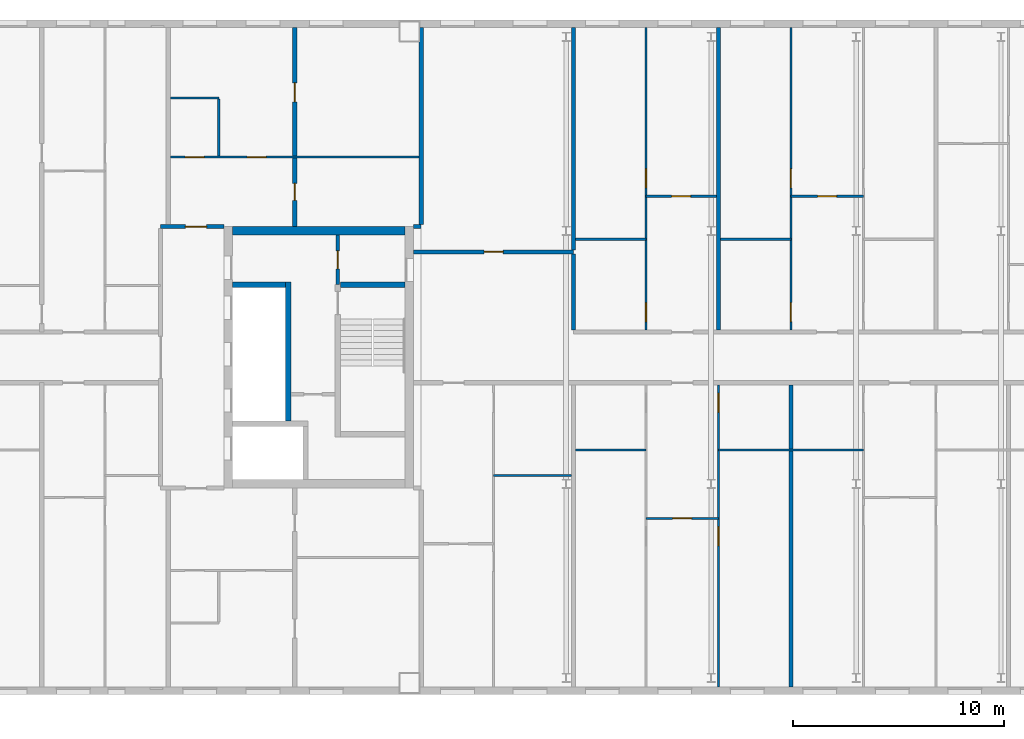
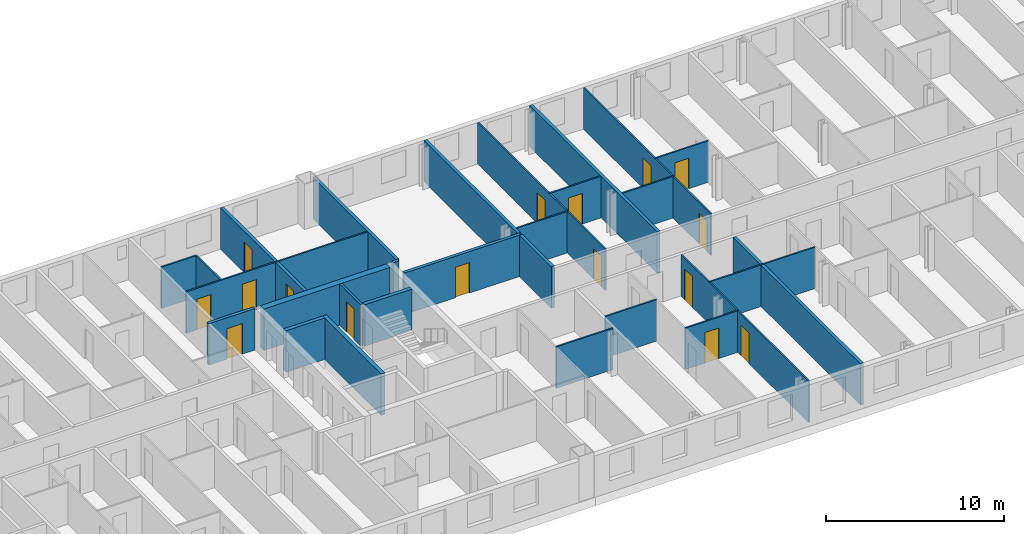
# One storey, part 9 of 19: 28 walls, 16 doors, 16 openings.
"""IFC4 building model written with IfcOpenShell, lengths in metres."""

from ifc_helpers import new_model, si_unit, direction, frame, frame_2d, origin, place, context, subcontext, project, spatial, rectangle, extrude, material, layer, layer_set, type_object, element, fill, save


model = new_model("IFC4")

# Units and contexts
model_context = context("Model", 3, precision=1e-05, world=origin(), true_north=direction((0.0, 1.0)))
body_context = subcontext(model_context, "Body", "Model", "MODEL_VIEW")
ifc_project = project(units=[si_unit("LENGTHUNIT", "METRE"), si_unit("AREAUNIT", "SQUARE_METRE"), si_unit("VOLUMEUNIT", "CUBIC_METRE"), si_unit("PLANEANGLEUNIT", "RADIAN"), si_unit("MASSUNIT", "GRAM", prefix="KILO")], contexts=[model_context])

# Site, building, storey
site_placement = place(None, origin())
site = spatial("IfcSite", under=ifc_project, at=site_placement, CompositionType="ELEMENT")
building_placement = place(site_placement, origin())
building = spatial("IfcBuilding", under=site, at=building_placement, Name="Tuart Gate Housing", CompositionType="ELEMENT")
storey_placement = place(building_placement, frame((0.0, 0.0, 221.39990234375)))
storey = spatial("IfcBuildingStorey", under=building, at=storey_placement, Name="L62", CompositionType="ELEMENT", Elevation=221.39990234375)

# Wall, opening, door
ifc_material_1 = material(Name="Plasterboard partition")
ifc_layer_1 = layer(ifc_material_1, 0.14990234375)
ifc_layer_set_1 = layer_set([ifc_layer_1], Name="Core partition 150")
wall_type_1 = type_object("IfcWallType", Name="Core partition 150", PredefinedType="PARTITIONING", material=ifc_layer_set_1)
wall_1_placement = place(storey_placement, frame((72.0400390625, 73.449951171875, 0.0), z_axis=(0.0, 0.0, 1.0), x_axis=(0.0, 1.0, 0.0)))
wall_1 = element("IfcWall", 1, at=wall_1_placement, inside=storey, type_object=wall_type_1, Name="Core partition AG.9", PredefinedType="PARTITIONING", context=body_context, shape_type="SweptSolid", body=[
    extrude(rectangle(XDim=2.35009765625, YDim=0.14990234375, at=frame_2d((1.175048828125, 0.0))), origin(), (0.0, 0.0, 1.0), 2.85009765625),
])
opening_1_placement = place(wall_1_placement, frame((0.75, 0.0, 0.0)))
opening_1 = element("IfcOpeningElement", 2, at=opening_1_placement, cuts=wall_1, Name="Opening D2297", PredefinedType="OPENING", context=body_context, shape_type="SweptSolid", body=[
    extrude(rectangle(XDim=0.85009765625, YDim=2.10009765625, at=frame_2d((0.425048828125, 1.050048828125))), frame((0.0, 0.0849609375, 0.0), z_axis=(0.0, -1.0, 0.0), x_axis=(1.0, 0.0, 0.0)), (0.0, 0.0, 1.0), 0.169921875),
])
ifc_material_2 = material(Name="Steel fire door", Category="steel")
door_type_1 = type_object("IfcDoorType", Name="Service door 850 x 2100 RH", OperationType="SINGLE_SWING_RIGHT", PredefinedType="DOOR", material=ifc_material_2)
door_1_placement = place(opening_1_placement, frame((0.85009765625, 0.0, 0.0), z_axis=(0.0, 0.0, 1.0), x_axis=(-1.0, 0.0, 0.0)))
door_1 = element("IfcDoor", 3, at=door_1_placement, inside=storey, type_object=door_type_1, Name="Service room door AG.ST", OperationType="SINGLE_SWING_RIGHT", OverallHeight=2.10009765625, OverallWidth=0.85009765625, PredefinedType="DOOR", context=body_context, shape_type="SweptSolid", body=[
    extrude(rectangle(XDim=0.85009765625, YDim=2.10009765625, at=frame_2d((0.425048828125, 1.050048828125))), frame((0.0, 0.025146484375, 0.0), z_axis=(0.0, -1.0, 0.0), x_axis=(1.0, 0.0, 0.0)), (0.0, 0.0, 1.0), 0.050048828125),
])
fill(opening_1, door_1)

# Walls
ifc_material_3 = material(Name="Concrete C40", Category="concrete")
ifc_layer_2 = layer(ifc_material_3, 0.25)
ifc_layer_set_2 = layer_set([ifc_layer_2], Name="Core wall 250 C40")
wall_type_2 = type_object("IfcWallType", Name="Core wall 250 C40", PredefinedType="SHEAR", material=ifc_layer_set_2)
wall_2_placement = place(storey_placement, frame((67.0400390625, 73.449951171875, 0.0), z_axis=(0.0, 0.0, 1.0), x_axis=(1.0, 0.0, 0.0)))
element("IfcWall", 4, at=wall_2_placement, inside=storey, type_object=wall_type_2, Name="Core wall AG.4", PredefinedType="SHEAR", context=body_context, shape_type="SweptSolid", body=[
    extrude(rectangle(XDim=2.52490234375, YDim=0.25, at=frame_2d((1.262451171875, 0.0))), origin(), (0.0, 0.0, 1.0), 2.85009765625),
])
wall_3_placement = place(storey_placement, frame((72.1650390625, 73.449951171875, 0.0), z_axis=(0.0, 0.0, 1.0), x_axis=(1.0, 0.0, 0.0)))
element("IfcWall", 5, at=wall_3_placement, inside=storey, type_object=wall_type_2, Name="Core wall AG.5", PredefinedType="SHEAR", context=body_context, shape_type="SweptSolid", body=[
    extrude(rectangle(XDim=3.074951171875, YDim=0.25, at=frame_2d((1.53759765625, 0.0))), origin(), (0.0, 0.0, 1.0), 2.85009765625),
])
wall_4_placement = place(storey_placement, frame((69.68994140625, 66.97509765625, 0.0), z_axis=(0.0, 0.0, 1.0), x_axis=(0.0, 1.0, 0.0)))
element("IfcWall", 6, at=wall_4_placement, inside=storey, type_object=wall_type_2, Name="Core wall AG.6", PredefinedType="SHEAR", context=body_context, shape_type="SweptSolid", body=[
    extrude(rectangle(XDim=6.599853515625, YDim=0.25, at=frame_2d((3.2998046875, 0.0))), origin(), (0.0, 0.0, 1.0), 2.85009765625),
])
ifc_material_4 = material(Name="Concrete C40", Category="concrete")
ifc_layer_3 = layer(ifc_material_4, 0.39990234375)
ifc_layer_set_3 = layer_set([ifc_layer_3], Name="Core wall 400 C40")
wall_type_3 = type_object("IfcWallType", Name="Core wall 400 C40", PredefinedType="SHEAR", material=ifc_layer_set_3)
wall_5_placement = place(storey_placement, frame((67.0400390625, 76.0, 0.0), z_axis=(0.0, 0.0, 1.0), x_axis=(1.0, 0.0, 0.0)))
element("IfcWall", 7, at=wall_5_placement, inside=storey, type_object=wall_type_3, Name="Core wall AG north", PredefinedType="SHEAR", context=body_context, shape_type="SweptSolid", body=[
    extrude(rectangle(XDim=8.199951171875, YDim=0.39990234375, at=frame_2d((4.10009765625, 0.0))), origin(), (0.0, 0.0, 1.0), 2.85009765625),
])

# Wall, opening, door
ifc_material_5 = material(Name="Concrete masonry 15 MPa", Category="masonry")
ifc_layer_4 = layer(ifc_material_5, 0.199951171875)
ifc_layer_set_4 = layer_set([ifc_layer_4], Name="Corridor wall masonry 200")
wall_type_4 = type_object("IfcWallType", Name="Corridor wall masonry 200", PredefinedType="PARTITIONING", material=ifc_layer_set_4)
wall_6_placement = place(storey_placement, frame((75.639892578125, 75.0, 0.0), z_axis=(0.0, 0.0, 1.0), x_axis=(1.0, 0.0, 0.0)))
wall_6 = element("IfcWall", 8, at=wall_6_placement, inside=storey, type_object=wall_type_4, Name="Corridor wall masonry 200", PredefinedType="PARTITIONING", context=body_context, shape_type="SweptSolid", body=[
    extrude(rectangle(XDim=7.585205078125, YDim=0.199951171875, at=frame_2d((3.79248046875, 0.0))), origin(), (0.0, 0.0, 1.0), 2.85009765625),
])
opening_2_placement = place(wall_6_placement, frame((3.342529296875, 0.0, 0.0)))
opening_2 = element("IfcOpeningElement", 9, at=opening_2_placement, cuts=wall_6, Name="Opening D2352", PredefinedType="OPENING", context=body_context, shape_type="SweptSolid", body=[
    extrude(rectangle(XDim=0.89990234375, YDim=2.10009765625, at=frame_2d((0.449951171875, 1.050048828125))), frame((0.0, 0.10986328125, 0.0), z_axis=(0.0, -1.0, 0.0), x_axis=(1.0, 0.0, 0.0)), (0.0, 0.0, 1.0), 0.219970703125),
])
ifc_material_6 = material(Name="Timber door leaf in steel frame", Category="steel")
door_type_2 = type_object("IfcDoorType", Name="Internal door 900", OperationType="SINGLE_SWING_LEFT", PredefinedType="DOOR", material=ifc_material_6)
door_2_placement = place(opening_2_placement, origin())
door_2 = element("IfcDoor", 10, at=door_2_placement, inside=storey, type_object=door_type_2, Name="Internal door", OperationType="SINGLE_SWING_LEFT", OverallHeight=2.10009765625, OverallWidth=0.89990234375, PredefinedType="DOOR", context=body_context, shape_type="SweptSolid", body=[
    extrude(rectangle(XDim=0.89990234375, YDim=2.10009765625, at=frame_2d((0.449951171875, 1.050048828125))), frame((0.0, 0.02490234375, 0.0), z_axis=(0.0, -1.0, 0.0), x_axis=(1.0, 0.0, 0.0)), (0.0, 0.0, 1.0), 0.050048828125),
])
fill(opening_2, door_2)

# Wall
wall_7_placement = place(storey_placement, frame((83.22509765625, 71.300048828125, 0.0), z_axis=(0.0, 0.0, 1.0), x_axis=(0.0, 1.0, 0.0)))
element("IfcWall", 11, at=wall_7_placement, inside=storey, type_object=wall_type_4, Name="Corridor wall masonry 200", PredefinedType="PARTITIONING", context=body_context, shape_type="SweptSolid", body=[
    extrude(rectangle(XDim=3.599853515625, YDim=0.199951171875, at=frame_2d((1.7998046875, 0.0))), origin(), (0.0, 0.0, 1.0), 2.85009765625),
])

# Wall, opening, door
ifc_material_7 = material(Name="Concrete masonry 15 MPa", Category="masonry")
ifc_layer_5 = layer(ifc_material_7, 0.199951171875)
ifc_layer_set_5 = layer_set([ifc_layer_5], Name="Enclosure wall masonry 200")
wall_type_5 = type_object("IfcWallType", Name="Enclosure wall masonry 200", PredefinedType="PARTITIONING", material=ifc_layer_set_5)
wall_8_placement = place(storey_placement, frame((63.639892578125, 76.199951171875, 0.0), z_axis=(0.0, 0.0, 1.0), x_axis=(1.0, 0.0, 0.0)))
wall_8 = element("IfcWall", 12, at=wall_8_placement, inside=storey, type_object=wall_type_5, Name="Enclosure wall masonry 200", PredefinedType="PARTITIONING", context=body_context, shape_type="SweptSolid", body=[
    extrude(rectangle(XDim=3.0, YDim=0.199951171875, at=frame_2d((1.5, 0.0))), origin(), (0.0, 0.0, 1.0), 2.85009765625),
])
opening_3_placement = place(wall_8_placement, frame((1.179931640625, 0.0, 0.0)))
opening_3 = element("IfcOpeningElement", 13, at=opening_3_placement, cuts=wall_8, Name="Opening D2296", PredefinedType="OPENING", context=body_context, shape_type="SweptSolid", body=[
    extrude(rectangle(XDim=1.0, YDim=2.10009765625, at=frame_2d((0.5, 1.050048828125))), frame((0.0, 0.10986328125, 0.0), z_axis=(0.0, -1.0, 0.0), x_axis=(1.0, 0.0, 0.0)), (0.0, 0.0, 1.0), 0.219970703125),
])
ifc_material_8 = material(Name="Timber door leaf in steel frame", Category="steel")
door_type_3 = type_object("IfcDoorType", Name="Flat entrance door 1000", OperationType="SINGLE_SWING_LEFT", PredefinedType="DOOR", material=ifc_material_8)
door_3_placement = place(opening_3_placement, origin())
door_3 = element("IfcDoor", 14, at=door_3_placement, inside=storey, type_object=door_type_3, Name="Flat entrance door", OperationType="SINGLE_SWING_LEFT", OverallHeight=2.10009765625, OverallWidth=1.0, PredefinedType="DOOR", context=body_context, shape_type="SweptSolid", body=[
    extrude(rectangle(XDim=1.0, YDim=2.10009765625, at=frame_2d((0.5, 1.050048828125))), frame((0.0, 0.02490234375, 0.0), z_axis=(0.0, -1.0, 0.0), x_axis=(1.0, 0.0, 0.0)), (0.0, 0.0, 1.0), 0.050048828125),
])
fill(opening_3, door_3)

ifc_material_9 = material(Name="Gypsum board on steel studs", Category="steel")
ifc_layer_6 = layer(ifc_material_9, 0.10009765625)
ifc_layer_set_6 = layer_set([ifc_layer_6], Name="Partition 100")
wall_type_6 = type_object("IfcWallType", Name="Partition 100", PredefinedType="PARTITIONING", material=ifc_layer_set_6)
wall_9_placement = place(storey_placement, frame((86.662109375, 62.360107421875, 0.0), z_axis=(0.0, 0.0, 1.0), x_axis=(1.0, 0.0, 0.0)))
wall_9 = element("IfcWall", 15, at=wall_9_placement, inside=storey, type_object=wall_type_6, Name="Partition 100", PredefinedType="PARTITIONING", context=body_context, shape_type="SweptSolid", body=[
    extrude(rectangle(XDim=3.43798828125, YDim=0.10009765625, at=frame_2d((1.718994140625, 0.0))), origin(), (0.0, 0.0, 1.0), 2.85009765625),
])
opening_4_placement = place(wall_9_placement, frame((1.26904296875, 0.0, 0.0)))
opening_4 = element("IfcOpeningElement", 16, at=opening_4_placement, cuts=wall_9, Name="Opening D2367", PredefinedType="OPENING", context=body_context, shape_type="SweptSolid", body=[
    extrude(rectangle(XDim=0.89990234375, YDim=2.10009765625, at=frame_2d((0.449951171875, 1.050048828125))), frame((0.0, 0.06005859375, 0.0), z_axis=(0.0, -1.0, 0.0), x_axis=(1.0, 0.0, 0.0)), (0.0, 0.0, 1.0), 0.1201171875),
])
door_4_placement = place(opening_4_placement, origin())
door_4 = element("IfcDoor", 17, at=door_4_placement, inside=storey, type_object=door_type_2, Name="Internal door", OperationType="SINGLE_SWING_LEFT", OverallHeight=2.10009765625, OverallWidth=0.89990234375, PredefinedType="DOOR", context=body_context, shape_type="SweptSolid", body=[
    extrude(rectangle(XDim=0.89990234375, YDim=2.10009765625, at=frame_2d((0.449951171875, 1.050048828125))), frame((0.0, 0.02490234375, 0.0), z_axis=(0.0, -1.0, 0.0), x_axis=(1.0, 0.0, 0.0)), (0.0, 0.0, 1.0), 0.050048828125),
])
fill(opening_4, door_4)

# Walls
wall_10_placement = place(storey_placement, frame((79.43798828125, 64.39990234375, 0.0), z_axis=(0.0, 0.0, 1.0), x_axis=(1.0, 0.0, 0.0)))
element("IfcWall", 18, at=wall_10_placement, inside=storey, type_object=wall_type_6, Name="Partition 100", PredefinedType="PARTITIONING", context=body_context, shape_type="SweptSolid", body=[
    extrude(rectangle(XDim=3.68701171875, YDim=0.10009765625, at=frame_2d((1.843505859375, 0.0))), origin(), (0.0, 0.0, 1.0), 2.85009765625),
])
wall_11_placement = place(storey_placement, frame((83.324951171875, 65.60009765625, 0.0), z_axis=(0.0, 0.0, 1.0), x_axis=(1.0, 0.0, 0.0)))
element("IfcWall", 19, at=wall_11_placement, inside=storey, type_object=wall_type_6, Name="Partition 100", PredefinedType="PARTITIONING", context=body_context, shape_type="SweptSolid", body=[
    extrude(rectangle(XDim=3.337158203125, YDim=0.10009765625, at=frame_2d((1.66845703125, 0.0))), origin(), (0.0, 0.0, 1.0), 2.85009765625),
])
wall_12_placement = place(storey_placement, frame((90.10009765625, 65.60009765625, 0.0), z_axis=(0.0, 0.0, 1.0), x_axis=(1.0, 0.0, 0.0)))
element("IfcWall", 20, at=wall_12_placement, inside=storey, type_object=wall_type_6, Name="Partition 100", PredefinedType="PARTITIONING", context=body_context, shape_type="SweptSolid", body=[
    extrude(rectangle(XDim=6.875, YDim=0.10009765625, at=frame_2d((3.4375, 0.0))), origin(), (0.0, 0.0, 1.0), 2.85009765625),
])
for number, where, z_axis, x_axis, name in (
    (21, (83.324951171875, 75.60009765625, 0.0), (0.0, 0.0, 1.0), (1.0, 0.0, 0.0), "Partition 100"),
    (22, (90.199951171875, 75.60009765625, 0.0), (0.0, 0.0, 1.0), (1.0, 0.0, 0.0), "Partition 100"),
):
    element("IfcWall", number, at=place(storey_placement, frame(where, z_axis=z_axis, x_axis=x_axis)), inside=storey, type_object=wall_type_6, Name=name, PredefinedType="PARTITIONING", context=body_context, shape_type="SweptSolid", body=[
        extrude(rectangle(XDim=3.337158203125, YDim=0.10009765625, at=frame_2d((1.66845703125, 0.0))), origin(), (0.0, 0.0, 1.0), 2.85009765625),
    ])

# Wall, opening, door
wall_13_placement = place(storey_placement, frame((86.662109375, 77.639892578125, 0.0), z_axis=(0.0, 0.0, 1.0), x_axis=(1.0, 0.0, 0.0)))
wall_13 = element("IfcWall", 23, at=wall_13_placement, inside=storey, type_object=wall_type_6, Name="Partition 100", PredefinedType="PARTITIONING", context=body_context, shape_type="SweptSolid", body=[
    extrude(rectangle(XDim=3.337890625, YDim=0.10009765625, at=frame_2d((1.6689453125, 0.0))), origin(), (0.0, 0.0, 1.0), 2.85009765625),
])
opening_5_placement = place(wall_13_placement, frame((1.218994140625, 0.0, 0.0)))
opening_5 = element("IfcOpeningElement", 24, at=opening_5_placement, cuts=wall_13, Name="Opening D2350", PredefinedType="OPENING", context=body_context, shape_type="SweptSolid", body=[
    extrude(rectangle(XDim=0.89990234375, YDim=2.10009765625, at=frame_2d((0.449951171875, 1.050048828125))), frame((0.0, 0.06005859375, 0.0), z_axis=(0.0, -1.0, 0.0), x_axis=(1.0, 0.0, 0.0)), (0.0, 0.0, 1.0), 0.1201171875),
])
ifc_material_10 = material(Name="Timber door leaf in steel frame", Category="steel")
door_type_4 = type_object("IfcDoorType", Name="Internal door 900 RH", OperationType="SINGLE_SWING_RIGHT", PredefinedType="DOOR", material=ifc_material_10)
door_5_placement = place(opening_5_placement, frame((0.89990234375, 0.0, 0.0), z_axis=(0.0, 0.0, 1.0), x_axis=(-1.0, 0.0, 0.0)))
door_5 = element("IfcDoor", 25, at=door_5_placement, inside=storey, type_object=door_type_4, Name="Internal door", OperationType="SINGLE_SWING_RIGHT", OverallHeight=2.10009765625, OverallWidth=0.89990234375, PredefinedType="DOOR", context=body_context, shape_type="SweptSolid", body=[
    extrude(rectangle(XDim=0.89990234375, YDim=2.10009765625, at=frame_2d((0.449951171875, 1.050048828125))), frame((0.0, 0.025146484375, 0.0), z_axis=(0.0, -1.0, 0.0), x_axis=(1.0, 0.0, 0.0)), (0.0, 0.0, 1.0), 0.050048828125),
])
fill(opening_5, door_5)

wall_14_placement = place(storey_placement, frame((93.537109375, 77.639892578125, 0.0), z_axis=(0.0, 0.0, 1.0), x_axis=(1.0, 0.0, 0.0)))
wall_14 = element("IfcWall", 26, at=wall_14_placement, inside=storey, type_object=wall_type_6, Name="Partition 100", PredefinedType="PARTITIONING", context=body_context, shape_type="SweptSolid", body=[
    extrude(rectangle(XDim=3.43798828125, YDim=0.10009765625, at=frame_2d((1.718994140625, 0.0))), origin(), (0.0, 0.0, 1.0), 2.85009765625),
])
opening_6_placement = place(wall_14_placement, frame((1.26904296875, 0.0, 0.0)))
opening_6 = element("IfcOpeningElement", 27, at=opening_6_placement, cuts=wall_14, Name="Opening D2351", PredefinedType="OPENING", context=body_context, shape_type="SweptSolid", body=[
    extrude(rectangle(XDim=0.89990234375, YDim=2.10009765625, at=frame_2d((0.449951171875, 1.050048828125))), frame((0.0, 0.06005859375, 0.0), z_axis=(0.0, -1.0, 0.0), x_axis=(1.0, 0.0, 0.0)), (0.0, 0.0, 1.0), 0.1201171875),
])
door_6_placement = place(opening_6_placement, frame((0.89990234375, 0.0, 0.0), z_axis=(0.0, 0.0, 1.0), x_axis=(-1.0, 0.0, 0.0)))
door_6 = element("IfcDoor", 28, at=door_6_placement, inside=storey, type_object=door_type_4, Name="Internal door", OperationType="SINGLE_SWING_RIGHT", OverallHeight=2.10009765625, OverallWidth=0.89990234375, PredefinedType="DOOR", context=body_context, shape_type="SweptSolid", body=[
    extrude(rectangle(XDim=0.89990234375, YDim=2.10009765625, at=frame_2d((0.449951171875, 1.050048828125))), frame((0.0, 0.025146484375, 0.0), z_axis=(0.0, -1.0, 0.0), x_axis=(1.0, 0.0, 0.0)), (0.0, 0.0, 1.0), 0.050048828125),
])
fill(opening_6, door_6)

# Wall, openings, doors
wall_15_placement = place(storey_placement, frame((64.10009765625, 79.5, 0.0), z_axis=(0.0, 0.0, 1.0), x_axis=(1.0, 0.0, 0.0)))
wall_15 = element("IfcWall", 29, at=wall_15_placement, inside=storey, type_object=wall_type_6, Name="Partition 100", PredefinedType="PARTITIONING", context=body_context, shape_type="SweptSolid", body=[
    extrude(rectangle(XDim=11.7998046875, YDim=0.10009765625, at=frame_2d((5.89990234375, 0.0))), origin(), (0.0, 0.0, 1.0), 2.85009765625),
])
opening_7_placement = place(wall_15_placement, frame((3.64990234375, 0.0, 0.0)))
opening_7 = element("IfcOpeningElement", 30, at=opening_7_placement, cuts=wall_15, Name="Opening D2284", PredefinedType="OPENING", context=body_context, shape_type="SweptSolid", body=[
    extrude(rectangle(XDim=0.89990234375, YDim=2.10009765625, at=frame_2d((0.449951171875, 1.050048828125))), frame((0.0, 0.06005859375, 0.0), z_axis=(0.0, -1.0, 0.0), x_axis=(1.0, 0.0, 0.0)), (0.0, 0.0, 1.0), 0.1201171875),
])
opening_8_placement = place(wall_15_placement, frame((0.699951171875, 0.0, 0.0)))
opening_8 = element("IfcOpeningElement", 31, at=opening_8_placement, cuts=wall_15, Name="Opening D2283", PredefinedType="OPENING", context=body_context, shape_type="SweptSolid", body=[
    extrude(rectangle(XDim=0.89990234375, YDim=2.10009765625, at=frame_2d((0.449951171875, 1.050048828125))), frame((0.0, 0.06005859375, 0.0), z_axis=(0.0, -1.0, 0.0), x_axis=(1.0, 0.0, 0.0)), (0.0, 0.0, 1.0), 0.1201171875),
])
ifc_material_11 = material(Name="Timber door leaf in steel frame", Category="steel")
door_type_5 = type_object("IfcDoorType", Name="Bathroom door 900 RH", OperationType="SINGLE_SWING_RIGHT", PredefinedType="DOOR", material=ifc_material_11)
door_7_placement = place(opening_8_placement, origin())
door_7 = element("IfcDoor", 32, at=door_7_placement, inside=storey, type_object=door_type_5, Name="Bathroom door", OperationType="SINGLE_SWING_RIGHT", OverallHeight=2.10009765625, OverallWidth=0.89990234375, PredefinedType="DOOR", context=body_context, shape_type="SweptSolid", body=[
    extrude(rectangle(XDim=0.89990234375, YDim=2.10009765625, at=frame_2d((0.449951171875, 1.050048828125))), frame((0.0, 0.02490234375, 0.0), z_axis=(0.0, -1.0, 0.0), x_axis=(1.0, 0.0, 0.0)), (0.0, 0.0, 1.0), 0.050048828125),
])
fill(opening_8, door_7)
door_8_placement = place(opening_7_placement, frame((0.89990234375, 0.0, 0.0), z_axis=(0.0, 0.0, 1.0), x_axis=(-1.0, 0.0, 0.0)))
door_8 = element("IfcDoor", 33, at=door_8_placement, inside=storey, type_object=door_type_2, Name="Internal door", OperationType="SINGLE_SWING_LEFT", OverallHeight=2.10009765625, OverallWidth=0.89990234375, PredefinedType="DOOR", context=body_context, shape_type="SweptSolid", body=[
    extrude(rectangle(XDim=0.89990234375, YDim=2.10009765625, at=frame_2d((0.449951171875, 1.050048828125))), frame((0.0, 0.025146484375, 0.0), z_axis=(0.0, -1.0, 0.0), x_axis=(1.0, 0.0, 0.0)), (0.0, 0.0, 1.0), 0.050048828125),
])
fill(opening_7, door_8)

# Walls
wall_16_placement = place(storey_placement, frame((64.10009765625, 82.300048828125, 0.0), z_axis=(0.0, 0.0, 1.0), x_axis=(1.0, 0.0, 0.0)))
element("IfcWall", 34, at=wall_16_placement, inside=storey, type_object=wall_type_6, Name="Partition 100", PredefinedType="PARTITIONING", context=body_context, shape_type="SweptSolid", body=[
    extrude(rectangle(XDim=2.2998046875, YDim=0.10009765625, at=frame_2d((1.14990234375, 0.0))), origin(), (0.0, 0.0, 1.0), 2.85009765625),
])
wall_17_placement = place(storey_placement, frame((66.39990234375, 79.550048828125, 0.0), z_axis=(0.0, 0.0, 1.0), x_axis=(0.0, 1.0, 0.0)))
element("IfcWall", 35, at=wall_17_placement, inside=storey, type_object=wall_type_6, Name="Partition 100", PredefinedType="PARTITIONING", context=body_context, shape_type="SweptSolid", body=[
    extrude(rectangle(XDim=2.699951171875, YDim=0.10009765625, at=frame_2d((1.35009765625, 0.0))), origin(), (0.0, 0.0, 1.0), 2.85009765625),
])

# Wall, openings, doors
wall_18_placement = place(storey_placement, frame((86.662109375, 71.300048828125, 0.0), z_axis=(0.0, 0.0, 1.0), x_axis=(0.0, 1.0, 0.0)))
wall_18 = element("IfcWall", 36, at=wall_18_placement, inside=storey, type_object=wall_type_6, Name="Partition 100", PredefinedType="PARTITIONING", context=body_context, shape_type="SweptSolid", body=[
    extrude(rectangle(XDim=14.33984375, YDim=0.10009765625, at=frame_2d((7.169921875, 0.0))), origin(), (0.0, 0.0, 1.0), 2.85009765625),
])
opening_9_placement = place(wall_18_placement, frame((6.739990234375, 0.0, 0.0)))
opening_9 = element("IfcOpeningElement", 37, at=opening_9_placement, cuts=wall_18, Name="Opening D2337", PredefinedType="OPENING", context=body_context, shape_type="SweptSolid", body=[
    extrude(rectangle(XDim=0.89990234375, YDim=2.10009765625, at=frame_2d((0.449951171875, 1.050048828125))), frame((0.0, 0.06005859375, 0.0), z_axis=(0.0, -1.0, 0.0), x_axis=(1.0, 0.0, 0.0)), (0.0, 0.0, 1.0), 0.1201171875),
])
opening_10_placement = place(wall_18_placement, frame((0.39990234375, 0.0, 0.0)))
opening_10 = element("IfcOpeningElement", 38, at=opening_10_placement, cuts=wall_18, Name="Opening D2336", PredefinedType="OPENING", context=body_context, shape_type="SweptSolid", body=[
    extrude(rectangle(XDim=0.89990234375, YDim=2.10009765625, at=frame_2d((0.449951171875, 1.050048828125))), frame((0.0, 0.06005859375, 0.0), z_axis=(0.0, -1.0, 0.0), x_axis=(1.0, 0.0, 0.0)), (0.0, 0.0, 1.0), 0.1201171875),
])
ifc_material_12 = material(Name="Timber door leaf in steel frame", Category="steel")
door_type_6 = type_object("IfcDoorType", Name="Bathroom door 900", OperationType="SINGLE_SWING_LEFT", PredefinedType="DOOR", material=ifc_material_12)
door_9_placement = place(opening_10_placement, origin())
door_9 = element("IfcDoor", 39, at=door_9_placement, inside=storey, type_object=door_type_6, Name="Bathroom door", OperationType="SINGLE_SWING_LEFT", OverallHeight=2.10009765625, OverallWidth=0.89990234375, PredefinedType="DOOR", context=body_context, shape_type="SweptSolid", body=[
    extrude(rectangle(XDim=0.89990234375, YDim=2.10009765625, at=frame_2d((0.449951171875, 1.050048828125))), frame((0.0, 0.02490234375, 0.0), z_axis=(0.0, -1.0, 0.0), x_axis=(1.0, 0.0, 0.0)), (0.0, 0.0, 1.0), 0.050048828125),
])
fill(opening_10, door_9)
door_10_placement = place(opening_9_placement, origin())
door_10 = element("IfcDoor", 40, at=door_10_placement, inside=storey, type_object=door_type_2, Name="Internal door", OperationType="SINGLE_SWING_LEFT", OverallHeight=2.10009765625, OverallWidth=0.89990234375, PredefinedType="DOOR", context=body_context, shape_type="SweptSolid", body=[
    extrude(rectangle(XDim=0.89990234375, YDim=2.10009765625, at=frame_2d((0.449951171875, 1.050048828125))), frame((0.0, 0.02490234375, 0.0), z_axis=(0.0, -1.0, 0.0), x_axis=(1.0, 0.0, 0.0)), (0.0, 0.0, 1.0), 0.050048828125),
])
fill(opening_9, door_10)

wall_19_placement = place(storey_placement, frame((90.10009765625, 54.360107421875, 0.0), z_axis=(0.0, 0.0, 1.0), x_axis=(0.0, 1.0, 0.0)))
wall_19 = element("IfcWall", 41, at=wall_19_placement, inside=storey, type_object=wall_type_6, Name="Partition 100", PredefinedType="PARTITIONING", context=body_context, shape_type="SweptSolid", body=[
    extrude(rectangle(XDim=14.33984375, YDim=0.10009765625, at=frame_2d((7.169921875, 0.0))), origin(), (0.0, 0.0, 1.0), 2.85009765625),
])
opening_11_placement = place(wall_19_placement, frame((6.699951171875, 0.0, 0.0)))
opening_11 = element("IfcOpeningElement", 42, at=opening_11_placement, cuts=wall_19, Name="Opening D2375", PredefinedType="OPENING", context=body_context, shape_type="SweptSolid", body=[
    extrude(rectangle(XDim=0.89990234375, YDim=2.10009765625, at=frame_2d((0.449951171875, 1.050048828125))), frame((0.0, 0.06005859375, 0.0), z_axis=(0.0, -1.0, 0.0), x_axis=(1.0, 0.0, 0.0)), (0.0, 0.0, 1.0), 0.1201171875),
])
opening_12_placement = place(wall_19_placement, frame((13.0400390625, 0.0, 0.0)))
opening_12 = element("IfcOpeningElement", 43, at=opening_12_placement, cuts=wall_19, Name="Opening D2374", PredefinedType="OPENING", context=body_context, shape_type="SweptSolid", body=[
    extrude(rectangle(XDim=0.89990234375, YDim=2.10009765625, at=frame_2d((0.449951171875, 1.050048828125))), frame((0.0, 0.06005859375, 0.0), z_axis=(0.0, -1.0, 0.0), x_axis=(1.0, 0.0, 0.0)), (0.0, 0.0, 1.0), 0.1201171875),
])
door_11_placement = place(opening_12_placement, frame((0.89990234375, 0.0, 0.0), z_axis=(0.0, 0.0, 1.0), x_axis=(-1.0, 0.0, 0.0)))
door_11 = element("IfcDoor", 44, at=door_11_placement, inside=storey, type_object=door_type_6, Name="Bathroom door", OperationType="SINGLE_SWING_LEFT", OverallHeight=2.10009765625, OverallWidth=0.89990234375, PredefinedType="DOOR", context=body_context, shape_type="SweptSolid", body=[
    extrude(rectangle(XDim=0.89990234375, YDim=2.10009765625, at=frame_2d((0.449951171875, 1.050048828125))), frame((0.0, 0.025146484375, 0.0), z_axis=(0.0, -1.0, 0.0), x_axis=(1.0, 0.0, 0.0)), (0.0, 0.0, 1.0), 0.050048828125),
])
fill(opening_12, door_11)
door_12_placement = place(opening_11_placement, frame((0.89990234375, 0.0, 0.0), z_axis=(0.0, 0.0, 1.0), x_axis=(-1.0, 0.0, 0.0)))
door_12 = element("IfcDoor", 45, at=door_12_placement, inside=storey, type_object=door_type_2, Name="Internal door", OperationType="SINGLE_SWING_LEFT", OverallHeight=2.10009765625, OverallWidth=0.89990234375, PredefinedType="DOOR", context=body_context, shape_type="SweptSolid", body=[
    extrude(rectangle(XDim=0.89990234375, YDim=2.10009765625, at=frame_2d((0.449951171875, 1.050048828125))), frame((0.0, 0.025146484375, 0.0), z_axis=(0.0, -1.0, 0.0), x_axis=(1.0, 0.0, 0.0)), (0.0, 0.0, 1.0), 0.050048828125),
])
fill(opening_11, door_12)

wall_20_placement = place(storey_placement, frame((93.537109375, 71.300048828125, 0.0), z_axis=(0.0, 0.0, 1.0), x_axis=(0.0, 1.0, 0.0)))
wall_20 = element("IfcWall", 46, at=wall_20_placement, inside=storey, type_object=wall_type_6, Name="Partition 100", PredefinedType="PARTITIONING", context=body_context, shape_type="SweptSolid", body=[
    extrude(rectangle(XDim=14.33984375, YDim=0.10009765625, at=frame_2d((7.169921875, 0.0))), origin(), (0.0, 0.0, 1.0), 2.85009765625),
])
opening_13_placement = place(wall_20_placement, frame((6.739990234375, 0.0, 0.0)))
opening_13 = element("IfcOpeningElement", 47, at=opening_13_placement, cuts=wall_20, Name="Opening D2339", PredefinedType="OPENING", context=body_context, shape_type="SweptSolid", body=[
    extrude(rectangle(XDim=0.89990234375, YDim=2.10009765625, at=frame_2d((0.449951171875, 1.050048828125))), frame((0.0, 0.06005859375, 0.0), z_axis=(0.0, -1.0, 0.0), x_axis=(1.0, 0.0, 0.0)), (0.0, 0.0, 1.0), 0.1201171875),
])
opening_14_placement = place(wall_20_placement, frame((0.39990234375, 0.0, 0.0)))
opening_14 = element("IfcOpeningElement", 48, at=opening_14_placement, cuts=wall_20, Name="Opening D2338", PredefinedType="OPENING", context=body_context, shape_type="SweptSolid", body=[
    extrude(rectangle(XDim=0.89990234375, YDim=2.10009765625, at=frame_2d((0.449951171875, 1.050048828125))), frame((0.0, 0.06005859375, 0.0), z_axis=(0.0, -1.0, 0.0), x_axis=(1.0, 0.0, 0.0)), (0.0, 0.0, 1.0), 0.1201171875),
])
door_13_placement = place(opening_14_placement, origin())
door_13 = element("IfcDoor", 49, at=door_13_placement, inside=storey, type_object=door_type_6, Name="Bathroom door", OperationType="SINGLE_SWING_LEFT", OverallHeight=2.10009765625, OverallWidth=0.89990234375, PredefinedType="DOOR", context=body_context, shape_type="SweptSolid", body=[
    extrude(rectangle(XDim=0.89990234375, YDim=2.10009765625, at=frame_2d((0.449951171875, 1.050048828125))), frame((0.0, 0.02490234375, 0.0), z_axis=(0.0, -1.0, 0.0), x_axis=(1.0, 0.0, 0.0)), (0.0, 0.0, 1.0), 0.050048828125),
])
fill(opening_14, door_13)
door_14_placement = place(opening_13_placement, origin())
door_14 = element("IfcDoor", 50, at=door_14_placement, inside=storey, type_object=door_type_2, Name="Internal door", OperationType="SINGLE_SWING_LEFT", OverallHeight=2.10009765625, OverallWidth=0.89990234375, PredefinedType="DOOR", context=body_context, shape_type="SweptSolid", body=[
    extrude(rectangle(XDim=0.89990234375, YDim=2.10009765625, at=frame_2d((0.449951171875, 1.050048828125))), frame((0.0, 0.02490234375, 0.0), z_axis=(0.0, -1.0, 0.0), x_axis=(1.0, 0.0, 0.0)), (0.0, 0.0, 1.0), 0.050048828125),
])
fill(opening_13, door_14)

ifc_material_13 = material(Name="Concrete C40", Category="concrete")
ifc_layer_7 = layer(ifc_material_13, 0.199951171875)
ifc_layer_set_7 = layer_set([ifc_layer_7], Name="Party wall concrete C40 200")
wall_type_7 = type_object("IfcWallType", Name="Party wall concrete C40 200", PredefinedType="SOLIDWALL", material=ifc_layer_set_7)
wall_21_placement = place(storey_placement, frame((70.0, 76.199951171875, 0.0), z_axis=(0.0, 0.0, 1.0), x_axis=(0.0, 1.0, 0.0)))
wall_21 = element("IfcWall", 51, at=wall_21_placement, inside=storey, type_object=wall_type_7, Name="Party wall concrete C40 200", PredefinedType="SOLIDWALL", context=body_context, shape_type="SweptSolid", body=[
    extrude(rectangle(XDim=9.43994140625, YDim=0.199951171875, at=frame_2d((4.719970703125, 0.0))), origin(), (0.0, 0.0, 1.0), 2.85009765625),
])
opening_15_placement = place(wall_21_placement, frame((5.919921875, 0.0, 0.0)))
opening_15 = element("IfcOpeningElement", 52, at=opening_15_placement, cuts=wall_21, Name="Opening D2279", PredefinedType="OPENING", context=body_context, shape_type="SweptSolid", body=[
    extrude(rectangle(XDim=0.89990234375, YDim=2.10009765625, at=frame_2d((0.449951171875, 1.050048828125))), frame((0.0, 0.10986328125, 0.0), z_axis=(0.0, -1.0, 0.0), x_axis=(1.0, 0.0, 0.0)), (0.0, 0.0, 1.0), 0.219970703125),
])
opening_16_placement = place(wall_21_placement, frame((1.25, 0.0, 0.0)))
opening_16 = element("IfcOpeningElement", 53, at=opening_16_placement, cuts=wall_21, Name="Opening D2280", PredefinedType="OPENING", context=body_context, shape_type="SweptSolid", body=[
    extrude(rectangle(XDim=0.800048828125, YDim=2.10009765625, at=frame_2d((0.39990234375, 1.050048828125))), frame((0.0, 0.10986328125, 0.0), z_axis=(0.0, -1.0, 0.0), x_axis=(1.0, 0.0, 0.0)), (0.0, 0.0, 1.0), 0.219970703125),
])
door_15_placement = place(opening_15_placement, frame((0.89990234375, 0.0, 0.0), z_axis=(0.0, 0.0, 1.0), x_axis=(-1.0, 0.0, 0.0)))
door_15 = element("IfcDoor", 54, at=door_15_placement, inside=storey, type_object=door_type_4, Name="Internal door", OperationType="SINGLE_SWING_RIGHT", OverallHeight=2.10009765625, OverallWidth=0.89990234375, PredefinedType="DOOR", context=body_context, shape_type="SweptSolid", body=[
    extrude(rectangle(XDim=0.89990234375, YDim=2.10009765625, at=frame_2d((0.449951171875, 1.050048828125))), frame((0.0, 0.025146484375, 0.0), z_axis=(0.0, -1.0, 0.0), x_axis=(1.0, 0.0, 0.0)), (0.0, 0.0, 1.0), 0.050048828125),
])
fill(opening_15, door_15)
ifc_material_14 = material(Name="Timber door leaf in steel frame", Category="steel")
door_type_7 = type_object("IfcDoorType", Name="Store door 800 RH", OperationType="SINGLE_SWING_RIGHT", PredefinedType="DOOR", material=ifc_material_14)
door_16_placement = place(opening_16_placement, frame((0.800048828125, 0.0, 0.0), z_axis=(0.0, 0.0, 1.0), x_axis=(-1.0, 0.0, 0.0)))
door_16 = element("IfcDoor", 55, at=door_16_placement, inside=storey, type_object=door_type_7, Name="Store door", OperationType="SINGLE_SWING_RIGHT", OverallHeight=2.10009765625, OverallWidth=0.800048828125, PredefinedType="DOOR", context=body_context, shape_type="SweptSolid", body=[
    extrude(rectangle(XDim=0.800048828125, YDim=2.10009765625, at=frame_2d((0.400146484375, 1.050048828125))), frame((0.0, 0.025146484375, 0.0), z_axis=(0.0, -1.0, 0.0), x_axis=(1.0, 0.0, 0.0)), (0.0, 0.0, 1.0), 0.050048828125),
])
fill(opening_16, door_16)

# Walls
ifc_material_15 = material(Name="Concrete masonry 15 MPa", Category="masonry")
ifc_layer_8 = layer(ifc_material_15, 0.199951171875)
ifc_layer_set_8 = layer_set([ifc_layer_8], Name="Party wall masonry 200")
wall_type_8 = type_object("IfcWallType", Name="Party wall masonry 200", PredefinedType="PARTITIONING", material=ifc_layer_set_8)
wall_22_placement = place(storey_placement, frame((75.639892578125, 76.199951171875, 0.0), z_axis=(0.0, 0.0, 1.0), x_axis=(1.0, 0.0, 0.0)))
element("IfcWall", 56, at=wall_22_placement, inside=storey, type_object=wall_type_8, Name="Party wall masonry 200", PredefinedType="PARTITIONING", context=body_context, shape_type="SweptSolid", body=[
    extrude(rectangle(XDim=0.360107421875, YDim=0.199951171875, at=frame_2d((0.18017578125, 0.0))), origin(), (0.0, 0.0, 1.0), 2.85009765625),
])
wall_23_placement = place(storey_placement, frame((76.0, 76.300048828125, 0.0), z_axis=(0.0, 0.0, 1.0), x_axis=(0.0, 1.0, 0.0)))
element("IfcWall", 57, at=wall_23_placement, inside=storey, type_object=wall_type_8, Name="Party wall masonry 200", PredefinedType="PARTITIONING", context=body_context, shape_type="SweptSolid", body=[
    extrude(rectangle(XDim=9.33984375, YDim=0.199951171875, at=frame_2d((4.669921875, 0.0))), origin(), (0.0, 0.0, 1.0), 2.85009765625),
])
wall_24_placement = place(storey_placement, frame((83.22509765625, 75.10009765625, 0.0), z_axis=(0.0, 0.0, 1.0), x_axis=(0.0, 1.0, 0.0)))
element("IfcWall", 58, at=wall_24_placement, inside=storey, type_object=wall_type_8, Name="Party wall masonry 200", PredefinedType="PARTITIONING", context=body_context, shape_type="SweptSolid", body=[
    extrude(rectangle(XDim=10.539794921875, YDim=0.199951171875, at=frame_2d((5.27001953125, 0.0))), origin(), (0.0, 0.0, 1.0), 2.85009765625),
])
for number, where, z_axis, x_axis, name in (
    (59, (90.10009765625, 71.300048828125, 0.0), (0.0, 0.0, 1.0), (0.0, 1.0, 0.0), "Party wall masonry 200"),
    (60, (93.537109375, 54.360107421875, 0.0), (0.0, 0.0, 1.0), (0.0, 1.0, 0.0), "Party wall masonry 200"),
):
    element("IfcWall", number, at=place(storey_placement, frame(where, z_axis=z_axis, x_axis=x_axis)), inside=storey, type_object=wall_type_8, Name=name, PredefinedType="PARTITIONING", context=body_context, shape_type="SweptSolid", body=[
        extrude(rectangle(XDim=14.33984375, YDim=0.199951171875, at=frame_2d((7.169921875, 0.0))), origin(), (0.0, 0.0, 1.0), 2.85009765625),
    ])

save(model, "model.ifc")
